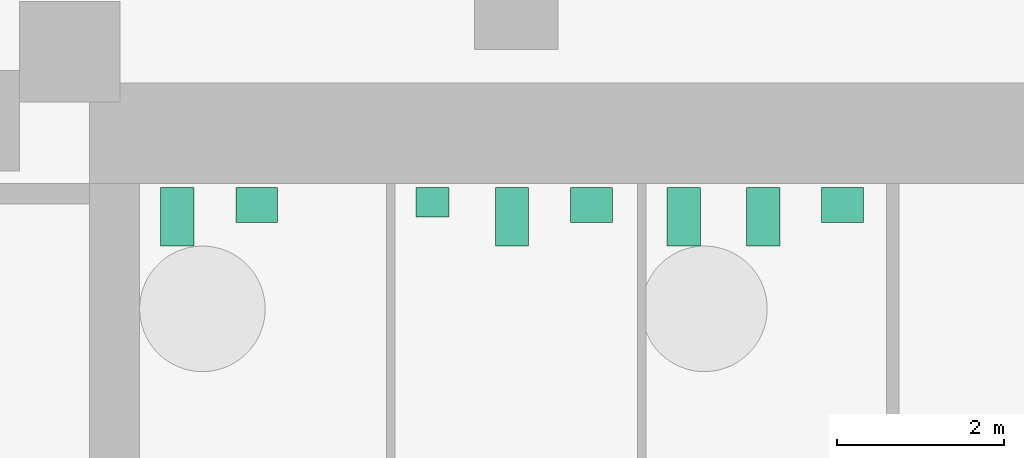
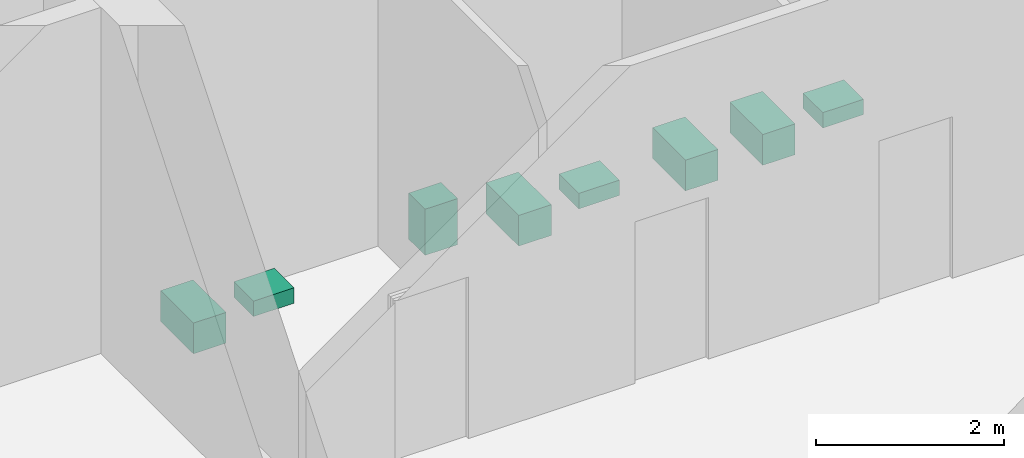
# One storey, part 28 of 30: 8 sanitary terminals.
"""IFC4 building model written with IfcOpenShell, lengths in metres."""

from ifc_helpers import new_model, si_unit, direction, frame, origin, origin_2d, place, context, subcontext, project, spatial, rectangle, extrude, material, type_object, element, save


model = new_model("IFC4")

# Units and contexts
model_context = context("Model", 3, precision=1e-05, world=origin(), true_north=direction((0.0, 1.0)))
body_context = subcontext(model_context, "Body", "Model", "MODEL_VIEW")
ifc_project = project(units=[si_unit("LENGTHUNIT", "METRE"), si_unit("AREAUNIT", "SQUARE_METRE"), si_unit("VOLUMEUNIT", "CUBIC_METRE"), si_unit("PLANEANGLEUNIT", "RADIAN"), si_unit("MASSUNIT", "GRAM", prefix="KILO")], contexts=[model_context])

# Site, building, storey
site_placement = place(None, origin())
site = spatial("IfcSite", under=ifc_project, at=site_placement, CompositionType="ELEMENT")
building_placement = place(site_placement, origin())
building = spatial("IfcBuilding", under=site, at=building_placement, Name="Cinnabar Reach Civic Tower", CompositionType="ELEMENT")
storey_placement = place(building_placement, frame((0.0, 0.0, -14.0)))
storey = spatial("IfcBuildingStorey", under=building, at=storey_placement, Name="B3", CompositionType="ELEMENT", Elevation=-14.0)

# Sanitary terminals
ifc_material = material(Name="Vitreous china")
sanitary_terminal_type_1 = type_object("IfcSanitaryTerminalType", Name="T1 WC pan", PredefinedType="TOILETPAN", material=ifc_material)
for number, where, z_axis, x_axis, name in (
    (1, (4.95, 41.6, 0.0), (0.0, 0.0, 1.0), (1.0, 0.0, 0.0), "T1 WC pan B311-1"),
    (2, (8.95, 41.6, 0.0), (0.0, 0.0, 1.0), (1.0, 0.0, 0.0), "T1 WC pan B312-2"),
    (3, (11.0, 41.6, 0.0), (0.0, 0.0, 1.0), (1.0, 0.0, 0.0), "T1 WC pan B313-1"),
    (4, (11.95, 41.6, 0.0), (0.0, 0.0, 1.0), (1.0, 0.0, 0.0), "T1 WC pan B313-2"),
):
    element("IfcSanitaryTerminal", number, at=place(storey_placement, frame(where, z_axis=z_axis, x_axis=x_axis)), inside=storey, type_object=sanitary_terminal_type_1, Name=name, PredefinedType="TOILETPAN", context=body_context, shape_type="SweptSolid", body=[
        extrude(rectangle(XDim=0.4, YDim=0.7, at=origin_2d()), origin(), (0.0, 0.0, 1.0), 0.4),
    ])
sanitary_terminal_type_2 = type_object("IfcSanitaryTerminalType", Name="T1 urinal", PredefinedType="URINAL", material=ifc_material)
sanitary_terminal_placement = place(storey_placement, frame((8.0, 41.775, 0.0), z_axis=(0.0, 0.0, 1.0), x_axis=(1.0, 0.0, 0.0)))
element("IfcSanitaryTerminal", 5, at=sanitary_terminal_placement, inside=storey, type_object=sanitary_terminal_type_2, Name="T1 urinal B312-1", PredefinedType="URINAL", context=body_context, shape_type="SweptSolid", body=[
    extrude(rectangle(XDim=0.4, YDim=0.35, at=origin_2d()), origin(), (0.0, 0.0, 1.0), 0.6),
])
sanitary_terminal_type_3 = type_object("IfcSanitaryTerminalType", Name="T1 wash basin", PredefinedType="WASHHANDBASIN", material=ifc_material)
for number, where, z_axis, x_axis, name in (
    (6, (5.9, 41.74, 0.0), (0.0, 0.0, 1.0), (1.0, 0.0, 0.0), "T1 wash basin B311-2"),
    (7, (9.9, 41.74, 0.0), (0.0, 0.0, 1.0), (1.0, 0.0, 0.0), "T1 wash basin B312-3"),
    (8, (12.9, 41.74, 0.0), (0.0, 0.0, 1.0), (1.0, 0.0, 0.0), "T1 wash basin B313-3"),
):
    element("IfcSanitaryTerminal", number, at=place(storey_placement, frame(where, z_axis=z_axis, x_axis=x_axis)), inside=storey, type_object=sanitary_terminal_type_3, Name=name, PredefinedType="WASHHANDBASIN", context=body_context, shape_type="SweptSolid", body=[
        extrude(rectangle(XDim=0.5, YDim=0.42, at=origin_2d()), origin(), (0.0, 0.0, 1.0), 0.2),
    ])

save(model, "model.ifc")
